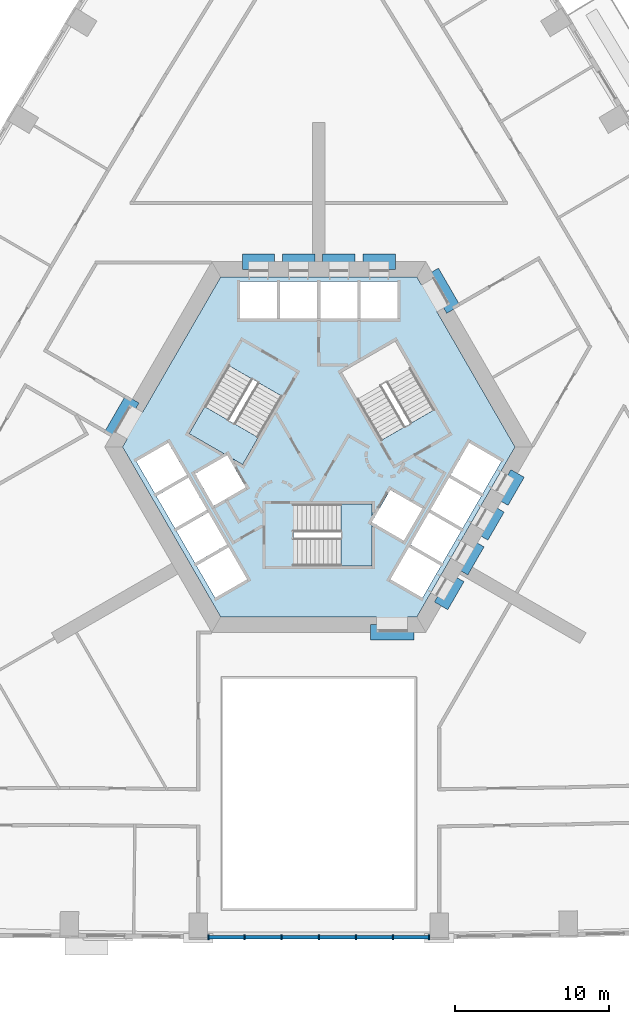
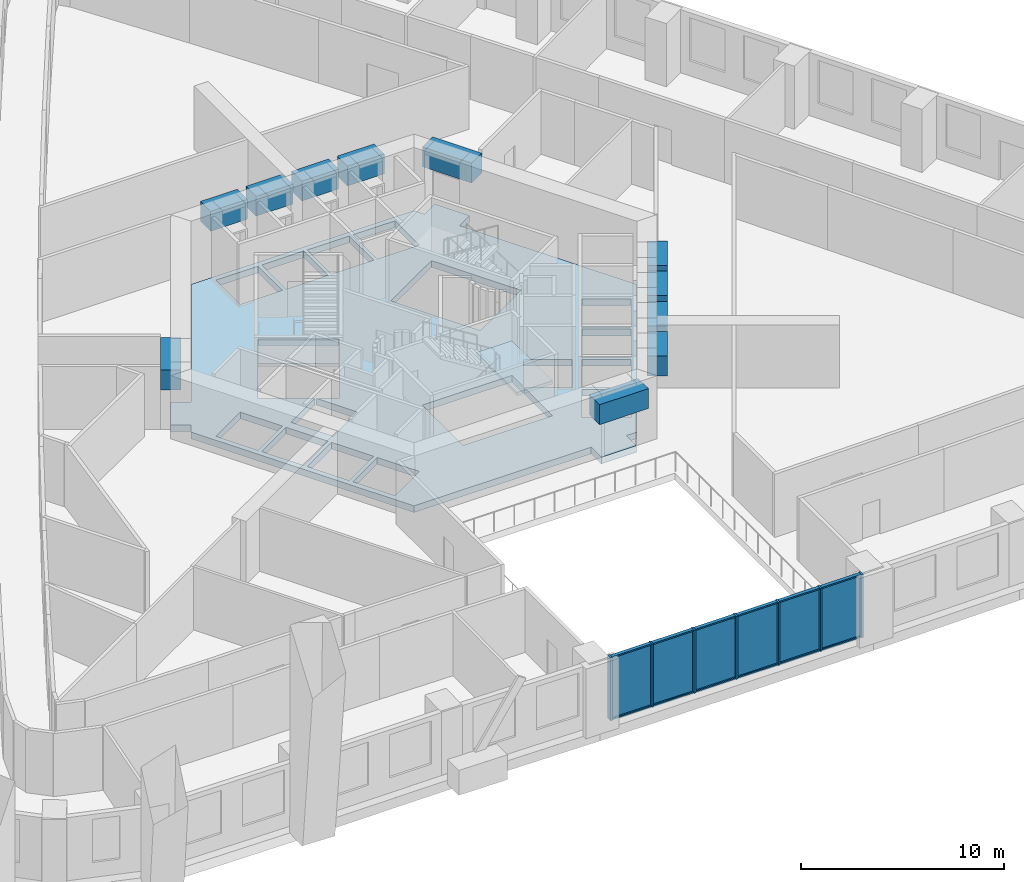
# One storey, part 2 of 16: 19 members, 11 beams, 6 plates, 3 slabs, 3 elements without a shape of their own.
"""IFC4 building model written with IfcOpenShell, lengths in metres."""

from ifc_helpers import new_model, si_unit, direction, frame, origin, origin_2d, place, context, subcontext, project, spatial, polyline, rectangle, outline, extrude, material, layer, layer_set, material_profile, profile_set, type_object, element, aggregate, save


model = new_model("IFC4")

# Units and contexts
model_context = context("Model", 3, precision=1e-05, world=origin(), true_north=direction((0.0, 1.0)))
body_context = subcontext(model_context, "Body", "Model", "MODEL_VIEW")
ifc_project = project(units=[si_unit("LENGTHUNIT", "METRE"), si_unit("AREAUNIT", "SQUARE_METRE"), si_unit("VOLUMEUNIT", "CUBIC_METRE"), si_unit("PLANEANGLEUNIT", "RADIAN"), si_unit("MASSUNIT", "GRAM", prefix="KILO")], contexts=[model_context])

# Site, building, storey
site_placement = place(None, origin())
site = spatial("IfcSite", under=ifc_project, at=site_placement, CompositionType="ELEMENT")
building_placement = place(site_placement, origin())
building = spatial("IfcBuilding", under=site, at=building_placement, Name="Entoto Arch Interchange Tower", CompositionType="ELEMENT")
storey_placement = place(building_placement, frame((0.0, 0.0, 60.199951171875)))
storey = spatial("IfcBuildingStorey", under=building, at=storey_placement, Name="L12", CompositionType="ELEMENT", Elevation=60.199951171875)

# Beams
ifc_material_1 = material(Name="Concrete C60/75", Category="concrete")
ifc_material_profile_1 = material_profile(ifc_material_1, rectangle(XDim=1.0, YDim=1.199951171875, at=origin_2d()))
ifc_profile_set_1 = profile_set([ifc_material_profile_1], Name="Concrete C60/75")
beam_type = type_object("IfcBeamType", Name="Coupling beam RC 1000x1200 C60/75", PredefinedType="BEAM", material=ifc_profile_set_1)
beam_1_placement = place(storey_placement, frame((8.717041015625, 11.402099609375, 3.0), z_axis=(-0.500200581029, 0.865909567298, 0.0), x_axis=(-0.865909567298, -0.500200581029, 0.0)))
element("IfcBeam", 1, at=beam_1_placement, inside=storey, type_object=beam_type, Name="Coupling beam NE L12", PredefinedType="BEAM", context=body_context, shape_type="SweptSolid", body=[
    extrude(rectangle(XDim=1.0, YDim=1.199951171875, at=origin_2d()), origin(), (0.0, 0.0, 1.0), 2.799072265625),
])
beam_2_placement = place(storey_placement, frame((4.949951171875, 14.5, 3.0), z_axis=(-1.0, 0.0, 0.0), x_axis=(0.0, -1.0, 0.0)))
element("IfcBeam", 2, at=beam_2_placement, inside=storey, type_object=beam_type, Name="Coupling beam N L12", PredefinedType="BEAM", context=body_context, shape_type="SweptSolid", body=[
    extrude(rectangle(XDim=1.0, YDim=1.199951171875, at=origin_2d()), origin(), (0.0, 0.0, 1.0), 2.099853515625),
])
for number, where, z_axis, x_axis, name in (
    (3, (2.35009765625, 14.5, 3.0), (-1.0, 0.0, 0.0), (0.0, -1.0, 0.0), "Coupling beam N L12"),
    (4, (-0.25, 14.5, 3.0), (-1.0, 0.0, 0.0), (0.0, -1.0, 0.0), "Coupling beam N L12"),
):
    element("IfcBeam", number, at=place(storey_placement, frame(where, z_axis=z_axis, x_axis=x_axis)), inside=storey, type_object=beam_type, Name=name, PredefinedType="BEAM", context=body_context, shape_type="SweptSolid", body=[
        extrude(rectangle(XDim=1.0, YDim=1.199951171875, at=origin_2d()), origin(), (0.0, 0.0, 1.0), 2.10009765625),
    ])
beam_3_placement = place(storey_placement, frame((-2.85009765625, 14.5, 3.0), z_axis=(-1.0, 0.0, 0.0), x_axis=(0.0, -1.0, 0.0)))
element("IfcBeam", 5, at=beam_3_placement, inside=storey, type_object=beam_type, Name="Coupling beam N L12", PredefinedType="BEAM", context=body_context, shape_type="SweptSolid", body=[
    extrude(rectangle(XDim=1.0, YDim=1.199951171875, at=origin_2d()), origin(), (0.0, 0.0, 1.0), 2.099853515625),
])
beam_4_placement = place(storey_placement, frame((-12.06689453125, 5.597900390625, 3.0), z_axis=(-0.500200581029, -0.865909567298, 0.0), x_axis=(0.865909567298, -0.500200581029, 0.0)))
element("IfcBeam", 6, at=beam_4_placement, inside=storey, type_object=beam_type, Name="Coupling beam NW L12", PredefinedType="BEAM", context=body_context, shape_type="SweptSolid", body=[
    extrude(rectangle(XDim=1.0, YDim=1.199951171875, at=origin_2d()), origin(), (0.0, 0.0, 1.0), 2.799072265625),
])
beam_5_placement = place(storey_placement, frame((3.35009765625, -9.5, 3.0), z_axis=(1.0, 0.0, 0.0), x_axis=(0.0, 1.0, 0.0)))
element("IfcBeam", 7, at=beam_5_placement, inside=storey, type_object=beam_type, Name="Coupling beam S L12", PredefinedType="BEAM", context=body_context, shape_type="SweptSolid", body=[
    extrude(rectangle(XDim=1.0, YDim=1.199951171875, at=origin_2d()), origin(), (0.0, 0.0, 1.0), 2.7998046875),
])
for number, where, z_axis, x_axis, name in (
    (8, (7.9169921875, -7.785888671875, 3.0), (0.500178781653, 0.865922159541, 0.0), (-0.865922159541, 0.500178781653, 0.0), "Coupling beam SE L12"),
    (9, (9.217041015625, -5.534912109375, 3.0), (0.500178781653, 0.865922159541, 0.0), (-0.865922159541, 0.500178781653, 0.0), "Coupling beam SE L12"),
):
    element("IfcBeam", number, at=place(storey_placement, frame(where, z_axis=z_axis, x_axis=x_axis)), inside=storey, type_object=beam_type, Name=name, PredefinedType="BEAM", context=body_context, shape_type="SweptSolid", body=[
        extrude(rectangle(XDim=1.0, YDim=1.199951171875, at=origin_2d()), origin(), (0.0, 0.0, 1.0), 2.099365234375),
    ])
beam_6_placement = place(storey_placement, frame((10.51708984375, -3.282958984375, 3.0), z_axis=(0.500091574638, 0.865972526687, 0.0), x_axis=(-0.865972526687, 0.500091574638, 0.0)))
element("IfcBeam", 10, at=beam_6_placement, inside=storey, type_object=beam_type, Name="Coupling beam SE L12", PredefinedType="BEAM", context=body_context, shape_type="SweptSolid", body=[
    extrude(rectangle(XDim=1.0, YDim=1.199951171875, at=origin_2d()), origin(), (0.0, 0.0, 1.0), 2.09912109375),
])
beam_7_placement = place(storey_placement, frame((11.81689453125, -1.031982421875, 3.0), z_axis=(0.500178781653, 0.865922159541, 0.0), x_axis=(-0.865922159541, 0.500178781653, 0.0)))
element("IfcBeam", 11, at=beam_7_placement, inside=storey, type_object=beam_type, Name="Coupling beam SE L12", PredefinedType="BEAM", context=body_context, shape_type="SweptSolid", body=[
    extrude(rectangle(XDim=1.0, YDim=1.199951171875, at=origin_2d()), origin(), (0.0, 0.0, 1.0), 2.099365234375),
])

# Curtain wall, members
ifc_material_2 = material(Name="Aluminium, anodised", Category="aluminium")
curtain_wall_type = type_object("IfcCurtainWallType", Name="CURTAIN WALL ATRIUM", PredefinedType="NOTDEFINED", material=ifc_material_2)
curtain_wall_placement = place(storey_placement, origin())
curtain_wall = element("IfcCurtainWall", 12, at=curtain_wall_placement, inside=storey, type_object=curtain_wall_type, Name="Atrium glazing S-04 L12", PredefinedType="NOTDEFINED")
ifc_material_profile_2 = material_profile(ifc_material_2, rectangle(XDim=0.300048828125, YDim=0.10009765625, at=origin_2d()))
ifc_profile_set_2 = profile_set([ifc_material_profile_2], Name="Aluminium, anodised")
member_type_1 = type_object("IfcMemberType", Name="MULLION ATRIUM 100x300", PredefinedType="MULLION", material=ifc_profile_set_2)
member_1_placement = place(storey_placement, frame((-7.14794921875, -29.236083984375, 0.0), z_axis=(0.0, 0.0, 1.0), x_axis=(0.0, 1.0, 0.0)))
member_1 = element("IfcMember", 13, at=member_1_placement, type_object=member_type_1, Name="CWA mullion 1", PredefinedType="MULLION", context=body_context, shape_type="SweptSolid", body=[
    extrude(rectangle(XDim=0.300048828125, YDim=0.10009765625, at=origin_2d()), origin(), (0.0, 0.0, 1.0), 3.800048828125),
])
member_2_placement = place(storey_placement, frame((-4.798583984375, -29.236083984375, 0.0), z_axis=(0.0, 0.0, 1.0), x_axis=(0.0, 1.0, 0.0)))
member_2 = element("IfcMember", 14, at=member_2_placement, type_object=member_type_1, Name="CWA mullion 2", PredefinedType="MULLION", context=body_context, shape_type="SweptSolid", body=[
    extrude(rectangle(XDim=0.300048828125, YDim=0.10009765625, at=origin_2d()), origin(), (0.0, 0.0, 1.0), 3.800048828125),
])
member_3_placement = place(storey_placement, frame((-2.3994140625, -29.236083984375, 0.0), z_axis=(0.0, 0.0, 1.0), x_axis=(0.0, 1.0, 0.0)))
member_3 = element("IfcMember", 15, at=member_3_placement, type_object=member_type_1, Name="CWA mullion 3", PredefinedType="MULLION", context=body_context, shape_type="SweptSolid", body=[
    extrude(rectangle(XDim=0.300048828125, YDim=0.10009765625, at=origin_2d()), origin(), (0.0, 0.0, 1.0), 3.800048828125),
])
member_4_placement = place(storey_placement, frame((0.0, -29.236083984375, 0.0), z_axis=(0.0, 0.0, 1.0), x_axis=(0.0, 1.0, 0.0)))
member_4 = element("IfcMember", 16, at=member_4_placement, type_object=member_type_1, Name="CWA mullion 4", PredefinedType="MULLION", context=body_context, shape_type="SweptSolid", body=[
    extrude(rectangle(XDim=0.300048828125, YDim=0.10009765625, at=origin_2d()), origin(), (0.0, 0.0, 1.0), 3.800048828125),
])
member_5_placement = place(storey_placement, frame((2.3994140625, -29.236083984375, 0.0), z_axis=(0.0, 0.0, 1.0), x_axis=(0.0, 1.0, 0.0)))
member_5 = element("IfcMember", 17, at=member_5_placement, type_object=member_type_1, Name="CWA mullion 5", PredefinedType="MULLION", context=body_context, shape_type="SweptSolid", body=[
    extrude(rectangle(XDim=0.300048828125, YDim=0.10009765625, at=origin_2d()), origin(), (0.0, 0.0, 1.0), 3.800048828125),
])
member_6_placement = place(storey_placement, frame((4.798583984375, -29.236083984375, 0.0), z_axis=(0.0, 0.0, 1.0), x_axis=(0.0, 1.0, 0.0)))
member_6 = element("IfcMember", 18, at=member_6_placement, type_object=member_type_1, Name="CWA mullion 6", PredefinedType="MULLION", context=body_context, shape_type="SweptSolid", body=[
    extrude(rectangle(XDim=0.300048828125, YDim=0.10009765625, at=origin_2d()), origin(), (0.0, 0.0, 1.0), 3.800048828125),
])
member_7_placement = place(storey_placement, frame((7.14794921875, -29.236083984375, 0.0), z_axis=(0.0, 0.0, 1.0), x_axis=(0.0, 1.0, 0.0)))
member_7 = element("IfcMember", 19, at=member_7_placement, type_object=member_type_1, Name="CWA mullion 7", PredefinedType="MULLION", context=body_context, shape_type="SweptSolid", body=[
    extrude(rectangle(XDim=0.300048828125, YDim=0.10009765625, at=origin_2d()), origin(), (0.0, 0.0, 1.0), 3.800048828125),
])
ifc_material_profile_3 = material_profile(ifc_material_2, rectangle(XDim=0.199951171875, YDim=0.080078125, at=origin_2d()))
ifc_profile_set_3 = profile_set([ifc_material_profile_3], Name="Aluminium, anodised")
member_type_2 = type_object("IfcMemberType", Name="TRANSOM ATRIUM 80x200", PredefinedType="USERDEFINED", material=ifc_profile_set_3)
member_8_placement = place(storey_placement, frame((-7.097900390625, -29.236083984375, 0.0400390625), z_axis=(1.0, 0.0, 0.0), x_axis=(0.0, 1.0, 0.0)))
member_8 = element("IfcMember", 20, at=member_8_placement, type_object=member_type_2, Name="CWA transom 1.1", ObjectType="TRANSOM", PredefinedType="USERDEFINED", context=body_context, shape_type="SweptSolid", body=[
    extrude(rectangle(XDim=0.199951171875, YDim=0.080078125, at=origin_2d()), origin(), (0.0, 0.0, 1.0), 2.249267578125),
])
member_9_placement = place(storey_placement, frame((-7.097900390625, -29.236083984375, 3.760009765625), z_axis=(1.0, 0.0, 0.0), x_axis=(0.0, 1.0, 0.0)))
member_9 = element("IfcMember", 21, at=member_9_placement, type_object=member_type_2, Name="CWA transom 1.2", ObjectType="TRANSOM", PredefinedType="USERDEFINED", context=body_context, shape_type="SweptSolid", body=[
    extrude(rectangle(XDim=0.199951171875, YDim=0.080078125, at=origin_2d()), origin(), (0.0, 0.0, 1.0), 2.249267578125),
])
member_10_placement = place(storey_placement, frame((-4.748779296875, -29.236083984375, 0.0400390625), z_axis=(1.0, 0.0, 0.0), x_axis=(0.0, 1.0, 0.0)))
member_10 = element("IfcMember", 22, at=member_10_placement, type_object=member_type_2, Name="CWA transom 2.1", ObjectType="TRANSOM", PredefinedType="USERDEFINED", context=body_context, shape_type="SweptSolid", body=[
    extrude(rectangle(XDim=0.199951171875, YDim=0.080078125, at=origin_2d()), origin(), (0.0, 0.0, 1.0), 2.299560546875),
])
member_11_placement = place(storey_placement, frame((-4.748779296875, -29.236083984375, 3.760009765625), z_axis=(1.0, 0.0, 0.0), x_axis=(0.0, 1.0, 0.0)))
member_11 = element("IfcMember", 23, at=member_11_placement, type_object=member_type_2, Name="CWA transom 2.2", ObjectType="TRANSOM", PredefinedType="USERDEFINED", context=body_context, shape_type="SweptSolid", body=[
    extrude(rectangle(XDim=0.199951171875, YDim=0.080078125, at=origin_2d()), origin(), (0.0, 0.0, 1.0), 2.299560546875),
])
member_12_placement = place(storey_placement, frame((-2.349365234375, -29.236083984375, 0.0400390625), z_axis=(1.0, 0.0, 0.0), x_axis=(0.0, 1.0, 0.0)))
member_12 = element("IfcMember", 24, at=member_12_placement, type_object=member_type_2, Name="CWA transom 3.1", ObjectType="TRANSOM", PredefinedType="USERDEFINED", context=body_context, shape_type="SweptSolid", body=[
    extrude(rectangle(XDim=0.199951171875, YDim=0.080078125, at=origin_2d()), origin(), (0.0, 0.0, 1.0), 2.29931640625),
])
member_13_placement = place(storey_placement, frame((-2.349365234375, -29.236083984375, 3.760009765625), z_axis=(1.0, 0.0, 0.0), x_axis=(0.0, 1.0, 0.0)))
member_13 = element("IfcMember", 25, at=member_13_placement, type_object=member_type_2, Name="CWA transom 3.2", ObjectType="TRANSOM", PredefinedType="USERDEFINED", context=body_context, shape_type="SweptSolid", body=[
    extrude(rectangle(XDim=0.199951171875, YDim=0.080078125, at=origin_2d()), origin(), (0.0, 0.0, 1.0), 2.29931640625),
])
member_14_placement = place(storey_placement, frame((0.050048828125, -29.236083984375, 0.0400390625), z_axis=(1.0, 0.0, 0.0), x_axis=(0.0, 1.0, 0.0)))
member_14 = element("IfcMember", 26, at=member_14_placement, type_object=member_type_2, Name="CWA transom 4.1", ObjectType="TRANSOM", PredefinedType="USERDEFINED", context=body_context, shape_type="SweptSolid", body=[
    extrude(rectangle(XDim=0.199951171875, YDim=0.080078125, at=origin_2d()), origin(), (0.0, 0.0, 1.0), 2.29931640625),
])
member_15_placement = place(storey_placement, frame((0.050048828125, -29.236083984375, 3.760009765625), z_axis=(1.0, 0.0, 0.0), x_axis=(0.0, 1.0, 0.0)))
member_15 = element("IfcMember", 27, at=member_15_placement, type_object=member_type_2, Name="CWA transom 4.2", ObjectType="TRANSOM", PredefinedType="USERDEFINED", context=body_context, shape_type="SweptSolid", body=[
    extrude(rectangle(XDim=0.199951171875, YDim=0.080078125, at=origin_2d()), origin(), (0.0, 0.0, 1.0), 2.29931640625),
])
member_16_placement = place(storey_placement, frame((2.44921875, -29.236083984375, 0.0400390625), z_axis=(1.0, 0.0, 0.0), x_axis=(0.0, 1.0, 0.0)))
member_16 = element("IfcMember", 28, at=member_16_placement, type_object=member_type_2, Name="CWA transom 5.1", ObjectType="TRANSOM", PredefinedType="USERDEFINED", context=body_context, shape_type="SweptSolid", body=[
    extrude(rectangle(XDim=0.199951171875, YDim=0.080078125, at=origin_2d()), origin(), (0.0, 0.0, 1.0), 2.299560546875),
])
member_17_placement = place(storey_placement, frame((2.44921875, -29.236083984375, 3.760009765625), z_axis=(1.0, 0.0, 0.0), x_axis=(0.0, 1.0, 0.0)))
member_17 = element("IfcMember", 29, at=member_17_placement, type_object=member_type_2, Name="CWA transom 5.2", ObjectType="TRANSOM", PredefinedType="USERDEFINED", context=body_context, shape_type="SweptSolid", body=[
    extrude(rectangle(XDim=0.199951171875, YDim=0.080078125, at=origin_2d()), origin(), (0.0, 0.0, 1.0), 2.299560546875),
])
member_18_placement = place(storey_placement, frame((4.8486328125, -29.236083984375, 0.0400390625), z_axis=(1.0, 0.0, 0.0), x_axis=(0.0, 1.0, 0.0)))
member_18 = element("IfcMember", 30, at=member_18_placement, type_object=member_type_2, Name="CWA transom 6.1", ObjectType="TRANSOM", PredefinedType="USERDEFINED", context=body_context, shape_type="SweptSolid", body=[
    extrude(rectangle(XDim=0.199951171875, YDim=0.080078125, at=origin_2d()), origin(), (0.0, 0.0, 1.0), 2.249267578125),
])
member_19_placement = place(storey_placement, frame((4.8486328125, -29.236083984375, 3.760009765625), z_axis=(1.0, 0.0, 0.0), x_axis=(0.0, 1.0, 0.0)))
member_19 = element("IfcMember", 31, at=member_19_placement, type_object=member_type_2, Name="CWA transom 6.2", ObjectType="TRANSOM", PredefinedType="USERDEFINED", context=body_context, shape_type="SweptSolid", body=[
    extrude(rectangle(XDim=0.199951171875, YDim=0.080078125, at=origin_2d()), origin(), (0.0, 0.0, 1.0), 2.249267578125),
])

# Slab
ifc_material_3 = material(Name="Concrete C40/50", Category="concrete")
ifc_layer_1 = layer(ifc_material_3, 0.39990234375)
ifc_layer_set_1 = layer_set([ifc_layer_1], Name="Concrete C40/50")
slab_type_1 = type_object("IfcSlabType", Name="Core floor slab 400 C40/50", PredefinedType="FLOOR", material=ifc_layer_set_1)
slab_1_placement = place(storey_placement, frame((0.0, 0.0, -0.39990234375)))
element("IfcSlab", 32, at=slab_1_placement, inside=storey, type_object=slab_type_1, Name="Core floor slab L12", PredefinedType="FLOOR", context=body_context, shape_type="SweptSolid", body=[
    extrude(outline(polyline([(5.75, -9.5), (3.75, -9.5), (3.75, -8.5), (-6.35107421875, -8.5), (-12.701904296875, 2.5), (-12.402099609375, 3.02001953125), (-13.26708984375, 3.52001953125), (-12.26708984375, 5.251953125), (-11.402099609375, 4.751953125), (-6.35107421875, 13.5), (6.35107421875, 13.5), (6.65087890625, 12.97998046875), (7.51708984375, 13.47998046875), (8.51708984375, 11.748046875), (7.65087890625, 11.248046875), (12.701904296875, 2.5), (6.35107421875, -8.5), (5.75, -8.5), (5.75, -9.5)]), holes=[polyline([(-4.637939453125, -6.06689453125), (-5.837890625, -3.988037109375), (-7.916015625, -5.18798828125), (-6.716064453125, -7.26708984375), (-4.637939453125, -6.06689453125)]), polyline([(-5.93798828125, -3.81494140625), (-7.137939453125, -1.737060546875), (-9.216064453125, -2.93701171875), (-8.01611328125, -5.014892578125), (-5.93798828125, -3.81494140625)]), polyline([(5.5048828125, -3.56494140625), (6.705078125, -1.487060546875), (4.626953125, -0.287109375), (3.449951171875, -2.324951171875), (3.449951171875, -1.199951171875), (-1.64990234375, -1.199951171875), (-1.64990234375, -5.199951171875), (3.449951171875, -5.199951171875), (3.449951171875, -2.3779296875), (5.5048828125, -3.56494140625)]), polyline([(-7.238037109375, -1.56298828125), (-8.43798828125, 0.514892578125), (-10.51611328125, -0.68505859375), (-9.31591796875, -2.762939453125), (-7.238037109375, -1.56298828125)]), polyline([(-4.72705078125, -0.113037109375), (-5.904052734375, 1.925048828125), (-4.928955078125, 1.362060546875), (-2.37890625, 5.779052734375), (-5.843017578125, 7.779052734375), (-8.39306640625, 3.362060546875), (-5.949951171875, 1.951904296875), (-8.0048828125, 0.764892578125), (-6.804931640625, -1.31298828125), (-4.72705078125, -0.113037109375)]), polyline([(-8.5380859375, 0.68798828125), (-9.738037109375, 2.76708984375), (-11.81591796875, 1.56689453125), (-10.615966796875, -0.511962890625), (-8.5380859375, 0.68798828125)]), polyline([(-5.10009765625, 10.800048828125), (-2.699951171875, 10.800048828125), (-2.699951171875, 13.199951171875), (-5.10009765625, 13.199951171875), (-5.10009765625, 10.800048828125)]), polyline([(-2.5, 10.800048828125), (-0.10009765625, 10.800048828125), (-0.10009765625, 13.199951171875), (-2.5, 13.199951171875), (-2.5, 10.800048828125)]), polyline([(5.837890625, -3.988037109375), (4.637939453125, -6.06689453125), (6.716064453125, -7.26708984375), (7.916015625, -5.18798828125), (5.837890625, -3.988037109375)]), polyline([(7.137939453125, -1.737060546875), (5.93798828125, -3.81494140625), (8.01611328125, -5.014892578125), (9.216064453125, -2.93701171875), (7.137939453125, -1.737060546875)]), polyline([(8.43798828125, 0.514892578125), (7.238037109375, -1.56298828125), (9.31591796875, -2.762939453125), (10.51611328125, -0.68505859375), (8.43798828125, 0.514892578125)]), polyline([(9.738037109375, 2.76708984375), (8.5380859375, 0.68798828125), (10.615966796875, -0.511962890625), (11.81591796875, 1.56689453125), (9.738037109375, 2.76708984375)]), polyline([(4.029052734375, 2.9208984375), (7.492919921875, 4.9208984375), (4.943115234375, 9.337890625), (1.47900390625, 7.337890625), (4.029052734375, 2.9208984375)]), polyline([(0.10009765625, 13.199951171875), (0.10009765625, 10.800048828125), (2.5, 10.800048828125), (2.5, 13.199951171875), (0.10009765625, 13.199951171875)]), polyline([(2.699951171875, 13.199951171875), (2.699951171875, 10.800048828125), (5.10009765625, 10.800048828125), (5.10009765625, 13.199951171875), (2.699951171875, 13.199951171875)])]), origin(), (0.0, 0.0, 1.0), 0.39990234375),
])

# Stair, slab
stair_type = type_object("IfcStairType", Name="EXIT STAIR RC 1800", PredefinedType="HALF_TURN_STAIR", material=ifc_material_3)
stair_1_placement = place(storey_placement, origin())
stair_1 = element("IfcStair", 33, at=stair_1_placement, inside=storey, type_object=stair_type, Name="L12 Exit stair S", PredefinedType="HALF_TURN_STAIR")
ifc_layer_2 = layer(ifc_material_3, 0.199951171875)
ifc_layer_set_2 = layer_set([ifc_layer_2], Name="Concrete C40/50")
slab_type_2 = type_object("IfcSlabType", Name="EXIT STAIR LANDING RC 200", PredefinedType="LANDING", material=ifc_layer_set_2)
slab_2_placement = place(storey_placement, frame((0.0, 0.0, 1.900146484375)))
slab_2 = element("IfcSlab", 34, at=slab_2_placement, type_object=slab_type_2, Name="ST-S landing 1", PredefinedType="LANDING", context=body_context, shape_type="SweptSolid", body=[
    extrude(outline(polyline([(1.429931640625, -5.199951171875), (3.449951171875, -5.199951171875), (3.449951171875, -1.199951171875), (1.429931640625, -1.199951171875), (1.429931640625, -5.199951171875)])), origin(), (0.0, 0.0, 1.0), 0.199951171875),
])
aggregate(stair_1, [slab_2])

stair_2_placement = place(storey_placement, origin())
stair_2 = element("IfcStair", 35, at=stair_2_placement, inside=storey, type_object=stair_type, Name="L12 Exit stair NW", PredefinedType="HALF_TURN_STAIR")
slab_3_placement = place(storey_placement, frame((0.0, 0.0, 1.900146484375)))
slab_3 = element("IfcSlab", 36, at=slab_3_placement, type_object=slab_type_2, Name="ST-NW landing 1", PredefinedType="LANDING", context=body_context, shape_type="SweptSolid", body=[
    extrude(outline(polyline([(-7.38330078125, 5.111572265625), (-8.393310546875, 3.3623046875), (-4.92919921875, 1.3623046875), (-3.919189453125, 3.111572265625), (-7.38330078125, 5.111572265625)])), origin(), (0.0, 0.0, 1.0), 0.199951171875),
])
aggregate(stair_2, [slab_3])

# Plate
ifc_material_4 = material(Name="Clear glass, low-e double glazed", Category="glass")
ifc_layer_3 = layer(ifc_material_4, 0.031982421875)
ifc_layer_set_3 = layer_set([ifc_layer_3], Name="Clear glass, low-e double glazed")
plate_type = type_object("IfcPlateType", Name="GLAZING PANEL ATRIUM 32", PredefinedType="CURTAIN_PANEL", material=ifc_layer_set_3)
plate_1_placement = place(storey_placement, frame((-5.973388671875, -29.236083984375, 0.080078125), z_axis=(0.0, 0.0, 1.0), x_axis=(1.0, 0.0, 0.0)))
plate_1 = element("IfcPlate", 37, at=plate_1_placement, type_object=plate_type, Name="CWA panel 1.1", PredefinedType="CURTAIN_PANEL", context=body_context, shape_type="SweptSolid", body=[
    extrude(rectangle(XDim=2.249267578125, YDim=0.031982421875, at=origin_2d()), origin(), (0.0, 0.0, 1.0), 3.639892578125),
])

plate_2_placement = place(storey_placement, frame((-3.59912109375, -29.236083984375, 0.080078125), z_axis=(0.0, 0.0, 1.0), x_axis=(1.0, 0.0, 0.0)))
plate_2 = element("IfcPlate", 38, at=plate_2_placement, type_object=plate_type, Name="CWA panel 2.1", PredefinedType="CURTAIN_PANEL", context=body_context, shape_type="SweptSolid", body=[
    extrude(rectangle(XDim=2.29931640625, YDim=0.031982421875, at=origin_2d()), origin(), (0.0, 0.0, 1.0), 3.639892578125),
])

plate_3_placement = place(storey_placement, frame((-1.19970703125, -29.236083984375, 0.080078125), z_axis=(0.0, 0.0, 1.0), x_axis=(1.0, 0.0, 0.0)))
plate_3 = element("IfcPlate", 39, at=plate_3_placement, type_object=plate_type, Name="CWA panel 3.1", PredefinedType="CURTAIN_PANEL", context=body_context, shape_type="SweptSolid", body=[
    extrude(rectangle(XDim=2.29931640625, YDim=0.031982421875, at=origin_2d()), origin(), (0.0, 0.0, 1.0), 3.639892578125),
])

plate_4_placement = place(storey_placement, frame((1.19970703125, -29.236083984375, 0.080078125), z_axis=(0.0, 0.0, 1.0), x_axis=(1.0, 0.0, 0.0)))
plate_4 = element("IfcPlate", 40, at=plate_4_placement, type_object=plate_type, Name="CWA panel 4.1", PredefinedType="CURTAIN_PANEL", context=body_context, shape_type="SweptSolid", body=[
    extrude(rectangle(XDim=2.29931640625, YDim=0.031982421875, at=origin_2d()), origin(), (0.0, 0.0, 1.0), 3.639892578125),
])

plate_5_placement = place(storey_placement, frame((3.59912109375, -29.236083984375, 0.080078125), z_axis=(0.0, 0.0, 1.0), x_axis=(1.0, 0.0, 0.0)))
plate_5 = element("IfcPlate", 41, at=plate_5_placement, type_object=plate_type, Name="CWA panel 5.1", PredefinedType="CURTAIN_PANEL", context=body_context, shape_type="SweptSolid", body=[
    extrude(rectangle(XDim=2.29931640625, YDim=0.031982421875, at=origin_2d()), origin(), (0.0, 0.0, 1.0), 3.639892578125),
])

plate_6_placement = place(storey_placement, frame((5.973388671875, -29.236083984375, 0.080078125), z_axis=(0.0, 0.0, 1.0), x_axis=(1.0, 0.0, 0.0)))
plate_6 = element("IfcPlate", 42, at=plate_6_placement, type_object=plate_type, Name="CWA panel 6.1", PredefinedType="CURTAIN_PANEL", context=body_context, shape_type="SweptSolid", body=[
    extrude(rectangle(XDim=2.249267578125, YDim=0.031982421875, at=origin_2d()), origin(), (0.0, 0.0, 1.0), 3.639892578125),
])

aggregate(curtain_wall, [member_1, member_2, member_3, member_4, member_5, member_6, member_7, member_8, member_9, plate_1, member_10, member_11, plate_2, member_12, member_13, plate_3, member_14, member_15, plate_4, member_16, member_17, plate_5, member_18, member_19, plate_6])

save(model, "model.ifc")
